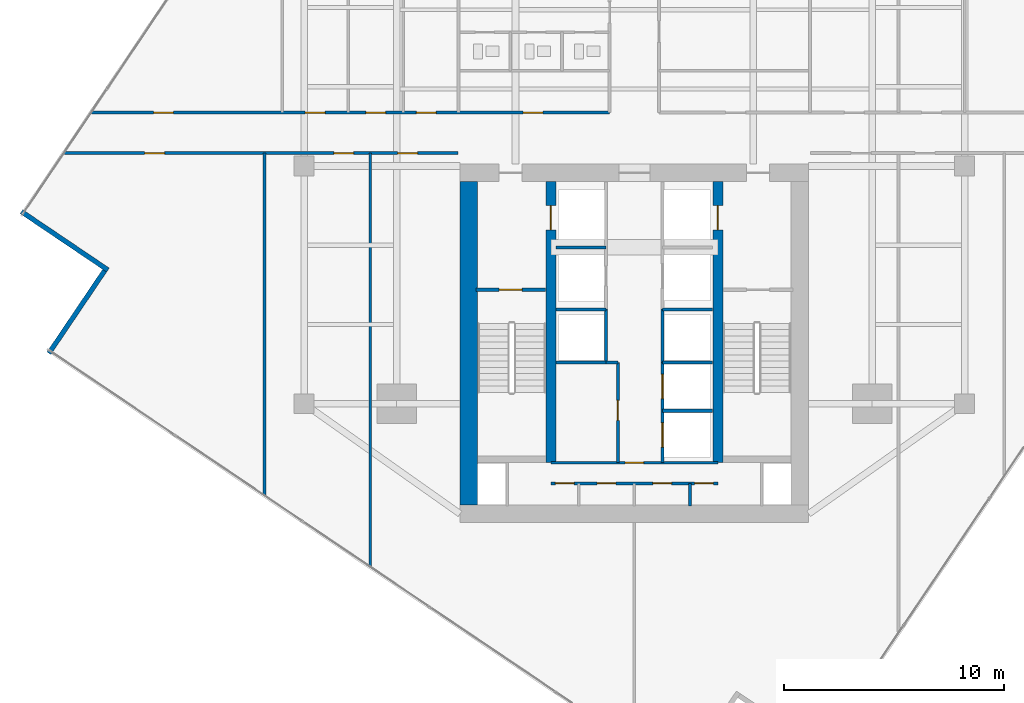
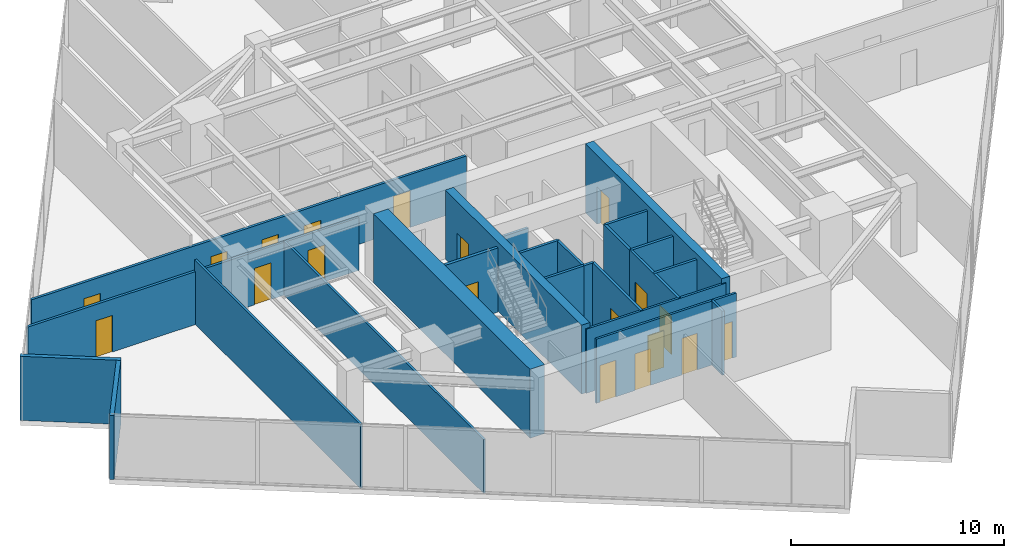
# One storey, part 23 of 27: 24 walls, 19 doors, 19 openings.
"""IFC4 building model written with IfcOpenShell, lengths in metres."""

from ifc_helpers import new_model, si_unit, direction, frame, frame_2d, origin, place, context, subcontext, project, spatial, rectangle, extrude, material, layer, layer_set, type_object, element, fill, save


model = new_model("IFC4")

# Units and contexts
model_context = context("Model", 3, precision=1e-05, world=origin(), true_north=direction((0.0, 1.0)))
body_context = subcontext(model_context, "Body", "Model", "MODEL_VIEW")
ifc_project = project(units=[si_unit("LENGTHUNIT", "METRE"), si_unit("AREAUNIT", "SQUARE_METRE"), si_unit("VOLUMEUNIT", "CUBIC_METRE"), si_unit("PLANEANGLEUNIT", "RADIAN"), si_unit("MASSUNIT", "GRAM", prefix="KILO")], contexts=[model_context])

# Site, building, storey
site_placement = place(None, origin())
site = spatial("IfcSite", under=ifc_project, at=site_placement, CompositionType="ELEMENT")
building_placement = place(site_placement, origin())
building = spatial("IfcBuilding", under=site, at=building_placement, Name="Krantzveldt Concourse Tower", CompositionType="ELEMENT")
storey_placement = place(building_placement, frame((0.0, 0.0, 185.699951171875)))
storey = spatial("IfcBuildingStorey", under=building, at=storey_placement, Name="L45", CompositionType="ELEMENT", Elevation=185.699951171875)

# Walls
ifc_material_1 = material(Name="Anodised aluminium 6063-T6", Category="aluminium")
ifc_layer_1 = layer(ifc_material_1, 0.219970703125, Name="Anodised aluminium 6063-T6", Category="aluminium")
ifc_layer_set_1 = layer_set([ifc_layer_1], Name="Anodised aluminium 6063-T6 (WL-EXT-NOTCH220)")
wall_type_1 = type_object("IfcWallType", Name="WL-EXT-NOTCH220", PredefinedType="ELEMENTEDWALL", material=ifc_layer_set_1)
wall_1_placement = place(storey_placement, frame((8.155029296875, 24.626220703125, 0.0), z_axis=(0.0, 0.0, 1.0), x_axis=(0.829029968461, -0.559204176839, 0.0)))
element("IfcWall", 1, at=wall_1_placement, inside=storey, type_object=wall_type_1, Name="EW-L45-NCH02", PredefinedType="ELEMENTEDWALL", context=body_context, shape_type="SweptSolid", body=[
    extrude(rectangle(XDim=4.744873046875, YDim=0.219970703125, at=frame_2d((2.37255859375, 0.0))), origin(), (0.0, 0.0, 1.0), 3.670166015625),
])
wall_2_placement = place(storey_placement, frame((11.93603515625, 21.943115234375, 0.0), z_axis=(0.0, 0.0, 1.0), x_axis=(-0.559236535969, -0.829008140393, 0.0)))
element("IfcWall", 2, at=wall_2_placement, inside=storey, type_object=wall_type_1, Name="EW-L45-NCH03", PredefinedType="ELEMENTEDWALL", context=body_context, shape_type="SweptSolid", body=[
    extrude(rectangle(XDim=4.52490234375, YDim=0.219970703125, at=frame_2d((2.262451171875, 0.0))), origin(), (0.0, 0.0, 1.0), 3.670166015625),
])

# Wall, opening, door
ifc_material_2 = material(Name="Fire-rated gypsum plasterboard on steel stud", Category="steel")
ifc_layer_2 = layer(ifc_material_2, 0.1201171875, Name="Fire-rated gypsum plasterboard on steel stud", Category="steel")
ifc_layer_set_2 = layer_set([ifc_layer_2], Name="Fire-rated gypsum plasterboard on steel stud (WL-PART-120)")
wall_type_2 = type_object("IfcWallType", Name="WL-PART-120", PredefinedType="PARTITIONING", material=ifc_layer_set_2)
wall_3_placement = place(storey_placement, frame((32.2099609375, 13.219970703125, 0.0), z_axis=(0.0, 0.0, 1.0), x_axis=(1.0, 0.0, 0.0)))
wall_3 = element("IfcWall", 3, at=wall_3_placement, inside=storey, type_object=wall_type_2, Name="WP-L45-CS2H", PredefinedType="PARTITIONING", context=body_context, shape_type="SweptSolid", body=[
    extrude(rectangle(XDim=7.580078125, YDim=0.1201171875, at=frame_2d((3.7900390625, 0.0))), origin(), (0.0, 0.0, 1.0), 3.670166015625),
])
opening_1_placement = place(wall_3_placement, frame((3.364990234375, 0.0, 0.0)))
opening_1 = element("IfcOpeningElement", 4, at=opening_1_placement, cuts=wall_3, Name="Opening D-IN085", PredefinedType="OPENING", context=body_context, shape_type="SweptSolid", body=[
    extrude(rectangle(XDim=0.85009765625, YDim=2.10009765625, at=frame_2d((0.425048828125, 1.050048828125))), frame((0.0, 0.070068359375, 0.0), z_axis=(0.0, -1.0, 0.0), x_axis=(1.0, 0.0, 0.0)), (0.0, 0.0, 1.0), 0.14013671875),
])
ifc_material_3 = material(Name="Hardwood timber", Category="wood")
door_type_1 = type_object("IfcDoorType", Name="DR-INT-850", OperationType="SINGLE_SWING_LEFT", PredefinedType="DOOR", material=ifc_material_3)
door_1_placement = place(opening_1_placement, origin())
door_1 = element("IfcDoor", 5, at=door_1_placement, inside=storey, type_object=door_type_1, Name="DR-L45-LLBS", OperationType="SINGLE_SWING_RIGHT", OverallHeight=2.10009765625, OverallWidth=0.85009765625, PredefinedType="DOOR", context=body_context, shape_type="SweptSolid", body=[
    extrude(rectangle(XDim=0.85009765625, YDim=2.10009765625, at=frame_2d((0.425048828125, 1.050048828125))), frame((0.0, 0.02490234375, 0.0), z_axis=(0.0, -1.0, 0.0), x_axis=(1.0, 0.0, 0.0)), (0.0, 0.0, 1.0), 0.050048828125),
])
fill(opening_1, door_1)

# Wall, openings, doors
wall_4_placement = place(storey_placement, frame((32.2099609375, 12.280029296875, 0.0), z_axis=(0.0, 0.0, 1.0), x_axis=(1.0, 0.0, 0.0)))
wall_4 = element("IfcWall", 6, at=wall_4_placement, inside=storey, type_object=wall_type_2, Name="WP-L45-CSD-HM", PredefinedType="PARTITIONING", context=body_context, shape_type="SweptSolid", body=[
    extrude(rectangle(XDim=7.580078125, YDim=0.1201171875, at=frame_2d((3.7900390625, 0.0))), origin(), (0.0, 0.0, 1.0), 3.670166015625),
])
opening_2_placement = place(wall_4_placement, frame((0.205078125, 0.0, 0.0)))
opening_2 = element("IfcOpeningElement", 7, at=opening_2_placement, cuts=wall_4, Name="Opening D-IN085", PredefinedType="OPENING", context=body_context, shape_type="SweptSolid", body=[
    extrude(rectangle(XDim=0.85009765625, YDim=2.10009765625, at=frame_2d((0.425048828125, 1.050048828125))), frame((0.0, 0.070068359375, 0.0), z_axis=(0.0, -1.0, 0.0), x_axis=(1.0, 0.0, 0.0)), (0.0, 0.0, 1.0), 0.14013671875),
])
opening_3_placement = place(wall_4_placement, frame((2.094970703125, 0.0, 0.0)))
opening_3 = element("IfcOpeningElement", 8, at=opening_3_placement, cuts=wall_4, Name="Opening D-IN085", PredefinedType="OPENING", context=body_context, shape_type="SweptSolid", body=[
    extrude(rectangle(XDim=0.85009765625, YDim=2.10009765625, at=frame_2d((0.425048828125, 1.050048828125))), frame((0.0, 0.070068359375, 0.0), z_axis=(0.0, -1.0, 0.0), x_axis=(1.0, 0.0, 0.0)), (0.0, 0.0, 1.0), 0.14013671875),
])
opening_4_placement = place(wall_4_placement, frame((4.635009765625, 0.0, 0.0)))
opening_4 = element("IfcOpeningElement", 9, at=opening_4_placement, cuts=wall_4, Name="Opening D-IN085", PredefinedType="OPENING", context=body_context, shape_type="SweptSolid", body=[
    extrude(rectangle(XDim=0.85009765625, YDim=2.10009765625, at=frame_2d((0.425048828125, 1.050048828125))), frame((0.0, 0.070068359375, 0.0), z_axis=(0.0, -1.0, 0.0), x_axis=(1.0, 0.0, 0.0)), (0.0, 0.0, 1.0), 0.14013671875),
])
opening_5_placement = place(wall_4_placement, frame((6.52490234375, 0.0, 0.0)))
opening_5 = element("IfcOpeningElement", 10, at=opening_5_placement, cuts=wall_4, Name="Opening D-IN085", PredefinedType="OPENING", context=body_context, shape_type="SweptSolid", body=[
    extrude(rectangle(XDim=0.85009765625, YDim=2.10009765625, at=frame_2d((0.425048828125, 1.050048828125))), frame((0.0, 0.070068359375, 0.0), z_axis=(0.0, -1.0, 0.0), x_axis=(1.0, 0.0, 0.0)), (0.0, 0.0, 1.0), 0.14013671875),
])
door_2_placement = place(opening_2_placement, origin())
door_2 = element("IfcDoor", 11, at=door_2_placement, inside=storey, type_object=door_type_1, Name="DR-L45-CSD1", OperationType="SINGLE_SWING_RIGHT", OverallHeight=2.10009765625, OverallWidth=0.85009765625, PredefinedType="DOOR", context=body_context, shape_type="SweptSolid", body=[
    extrude(rectangle(XDim=0.85009765625, YDim=2.10009765625, at=frame_2d((0.425048828125, 1.050048828125))), frame((0.0, 0.02490234375, 0.0), z_axis=(0.0, -1.0, 0.0), x_axis=(1.0, 0.0, 0.0)), (0.0, 0.0, 1.0), 0.050048828125),
])
fill(opening_2, door_2)
door_3_placement = place(opening_3_placement, origin())
door_3 = element("IfcDoor", 12, at=door_3_placement, inside=storey, type_object=door_type_1, Name="DR-L45-CSD2", OperationType="SINGLE_SWING_RIGHT", OverallHeight=2.10009765625, OverallWidth=0.85009765625, PredefinedType="DOOR", context=body_context, shape_type="SweptSolid", body=[
    extrude(rectangle(XDim=0.85009765625, YDim=2.10009765625, at=frame_2d((0.425048828125, 1.050048828125))), frame((0.0, 0.02490234375, 0.0), z_axis=(0.0, -1.0, 0.0), x_axis=(1.0, 0.0, 0.0)), (0.0, 0.0, 1.0), 0.050048828125),
])
fill(opening_3, door_3)
door_4_placement = place(opening_4_placement, origin())
door_4 = element("IfcDoor", 13, at=door_4_placement, inside=storey, type_object=door_type_1, Name="DR-L45-CSD3", OperationType="SINGLE_SWING_RIGHT", OverallHeight=2.10009765625, OverallWidth=0.85009765625, PredefinedType="DOOR", context=body_context, shape_type="SweptSolid", body=[
    extrude(rectangle(XDim=0.85009765625, YDim=2.10009765625, at=frame_2d((0.425048828125, 1.050048828125))), frame((0.0, 0.02490234375, 0.0), z_axis=(0.0, -1.0, 0.0), x_axis=(1.0, 0.0, 0.0)), (0.0, 0.0, 1.0), 0.050048828125),
])
fill(opening_4, door_4)
door_5_placement = place(opening_5_placement, origin())
door_5 = element("IfcDoor", 14, at=door_5_placement, inside=storey, type_object=door_type_1, Name="DR-L45-CSD4", OperationType="SINGLE_SWING_RIGHT", OverallHeight=2.10009765625, OverallWidth=0.85009765625, PredefinedType="DOOR", context=body_context, shape_type="SweptSolid", body=[
    extrude(rectangle(XDim=0.85009765625, YDim=2.10009765625, at=frame_2d((0.425048828125, 1.050048828125))), frame((0.0, 0.02490234375, 0.0), z_axis=(0.0, -1.0, 0.0), x_axis=(1.0, 0.0, 0.0)), (0.0, 0.0, 1.0), 0.050048828125),
])
fill(opening_5, door_5)

# Walls
wall_5_placement = place(storey_placement, frame((38.530029296875, 11.25, 0.0), z_axis=(0.0, 0.0, 1.0), x_axis=(0.0, 1.0, 0.0)))
element("IfcWall", 15, at=wall_5_placement, inside=storey, type_object=wall_type_2, Name="WP-L45-CSD-V3", PredefinedType="PARTITIONING", context=body_context, shape_type="SweptSolid", body=[
    extrude(rectangle(XDim=1.030029296875, YDim=0.1201171875, at=frame_2d((0.51513671875, 0.0))), origin(), (0.0, 0.0, 1.0), 3.670166015625),
])
wall_6_placement = place(storey_placement, frame((19.199951171875, 11.72412109375, 0.0), z_axis=(0.0, 0.0, 1.0), x_axis=(0.0, 1.0, 0.0)))
element("IfcWall", 16, at=wall_6_placement, inside=storey, type_object=wall_type_2, Name="WP-L45-SWX1", PredefinedType="PARTITIONING", context=body_context, shape_type="SweptSolid", body=[
    extrude(rectangle(XDim=15.555908203125, YDim=0.1201171875, at=frame_2d((7.77783203125, 0.0))), origin(), (0.0, 0.0, 1.0), 3.670166015625),
])
wall_7_placement = place(storey_placement, frame((24.0, 8.486572265625, 0.0), z_axis=(0.0, 0.0, 1.0), x_axis=(0.0, 1.0, 0.0)))
element("IfcWall", 17, at=wall_7_placement, inside=storey, type_object=wall_type_2, Name="WP-L45-SWX2", PredefinedType="PARTITIONING", context=body_context, shape_type="SweptSolid", body=[
    extrude(rectangle(XDim=18.79345703125, YDim=0.1201171875, at=frame_2d((9.396728515625, 0.0))), origin(), (0.0, 0.0, 1.0), 3.080078125),
])

# Wall, openings, doors
ifc_layer_3 = layer(ifc_material_2, 0.139892578125, Name="Fire-rated gypsum plasterboard on steel stud", Category="steel")
ifc_layer_set_3 = layer_set([ifc_layer_3], Name="Fire-rated gypsum plasterboard on steel stud (WL-PART-140)")
wall_type_3 = type_object("IfcWallType", Name="WL-PART-140", PredefinedType="PARTITIONING", material=ifc_layer_set_3)
wall_8_placement = place(storey_placement, frame((11.32470703125, 29.1201171875, 0.0), z_axis=(0.0, 0.0, 1.0), x_axis=(1.0, 0.0, 0.0)))
wall_8 = element("IfcWall", 18, at=wall_8_placement, inside=storey, type_object=wall_type_3, Name="WP-L45-EWNL", PredefinedType="PARTITIONING", context=body_context, shape_type="SweptSolid", body=[
    extrude(rectangle(XDim=23.55517578125, YDim=0.139892578125, at=frame_2d((11.777587890625, 0.0))), origin(), (0.0, 0.0, 1.0), 3.030029296875),
])
opening_6_placement = place(wall_8_placement, frame((19.625244140625, 0.0, 0.0)))
opening_6 = element("IfcOpeningElement", 19, at=opening_6_placement, cuts=wall_8, Name="Opening D-IN090", PredefinedType="OPENING", context=body_context, shape_type="SweptSolid", body=[
    extrude(rectangle(XDim=0.89990234375, YDim=2.10009765625, at=frame_2d((0.449951171875, 1.050048828125))), frame((0.0, 0.080078125, 0.0), z_axis=(0.0, -1.0, 0.0), x_axis=(1.0, 0.0, 0.0)), (0.0, 0.0, 1.0), 0.159912109375),
])
opening_7_placement = place(wall_8_placement, frame((2.835205078125, 0.0, 0.0)))
opening_7 = element("IfcOpeningElement", 20, at=opening_7_placement, cuts=wall_8, Name="Opening D-IN090", PredefinedType="OPENING", context=body_context, shape_type="SweptSolid", body=[
    extrude(rectangle(XDim=0.89990234375, YDim=2.10009765625, at=frame_2d((0.449951171875, 1.050048828125))), frame((0.0, 0.080078125, 0.0), z_axis=(0.0, -1.0, 0.0), x_axis=(1.0, 0.0, 0.0)), (0.0, 0.0, 1.0), 0.159912109375),
])
opening_8_placement = place(wall_8_placement, frame((9.725341796875, 0.0, 0.0)))
opening_8 = element("IfcOpeningElement", 21, at=opening_8_placement, cuts=wall_8, Name="Opening D-IN090", PredefinedType="OPENING", context=body_context, shape_type="SweptSolid", body=[
    extrude(rectangle(XDim=0.89990234375, YDim=2.10009765625, at=frame_2d((0.449951171875, 1.050048828125))), frame((0.0, 0.080078125, 0.0), z_axis=(0.0, -1.0, 0.0), x_axis=(1.0, 0.0, 0.0)), (0.0, 0.0, 1.0), 0.159912109375),
])
opening_9_placement = place(wall_8_placement, frame((12.475341796875, 0.0, 0.0)))
opening_9 = element("IfcOpeningElement", 22, at=opening_9_placement, cuts=wall_8, Name="Opening D-IN090", PredefinedType="OPENING", context=body_context, shape_type="SweptSolid", body=[
    extrude(rectangle(XDim=0.89990234375, YDim=2.10009765625, at=frame_2d((0.449951171875, 1.050048828125))), frame((0.0, 0.080078125, 0.0), z_axis=(0.0, -1.0, 0.0), x_axis=(1.0, 0.0, 0.0)), (0.0, 0.0, 1.0), 0.159912109375),
])
opening_10_placement = place(wall_8_placement, frame((14.775390625, 0.0, 0.0)))
opening_10 = element("IfcOpeningElement", 23, at=opening_10_placement, cuts=wall_8, Name="Opening D-IN090", PredefinedType="OPENING", context=body_context, shape_type="SweptSolid", body=[
    extrude(rectangle(XDim=0.89990234375, YDim=2.10009765625, at=frame_2d((0.449951171875, 1.050048828125))), frame((0.0, 0.080078125, 0.0), z_axis=(0.0, -1.0, 0.0), x_axis=(1.0, 0.0, 0.0)), (0.0, 0.0, 1.0), 0.159912109375),
])
door_type_2 = type_object("IfcDoorType", Name="DR-INT-900", OperationType="SINGLE_SWING_LEFT", PredefinedType="DOOR", material=ifc_material_3)
door_6_placement = place(opening_6_placement, origin())
door_6 = element("IfcDoor", 24, at=door_6_placement, inside=storey, type_object=door_type_2, Name="DR-L45-ALCL", OperationType="SINGLE_SWING_LEFT", OverallHeight=2.10009765625, OverallWidth=0.89990234375, PredefinedType="DOOR", context=body_context, shape_type="SweptSolid", body=[
    extrude(rectangle(XDim=0.89990234375, YDim=2.10009765625, at=frame_2d((0.449951171875, 1.050048828125))), frame((0.0, 0.02490234375, 0.0), z_axis=(0.0, -1.0, 0.0), x_axis=(1.0, 0.0, 0.0)), (0.0, 0.0, 1.0), 0.050048828125),
])
fill(opening_6, door_6)
door_7_placement = place(opening_7_placement, origin())
door_7 = element("IfcDoor", 25, at=door_7_placement, inside=storey, type_object=door_type_2, Name="DR-L45-NWX1", OperationType="SINGLE_SWING_LEFT", OverallHeight=2.10009765625, OverallWidth=0.89990234375, PredefinedType="DOOR", context=body_context, shape_type="SweptSolid", body=[
    extrude(rectangle(XDim=0.89990234375, YDim=2.10009765625, at=frame_2d((0.449951171875, 1.050048828125))), frame((0.0, 0.02490234375, 0.0), z_axis=(0.0, -1.0, 0.0), x_axis=(1.0, 0.0, 0.0)), (0.0, 0.0, 1.0), 0.050048828125),
])
fill(opening_7, door_7)
door_8_placement = place(opening_8_placement, origin())
door_8 = element("IfcDoor", 26, at=door_8_placement, inside=storey, type_object=door_type_2, Name="DR-L45-NWX2", OperationType="SINGLE_SWING_LEFT", OverallHeight=2.10009765625, OverallWidth=0.89990234375, PredefinedType="DOOR", context=body_context, shape_type="SweptSolid", body=[
    extrude(rectangle(XDim=0.89990234375, YDim=2.10009765625, at=frame_2d((0.449951171875, 1.050048828125))), frame((0.0, 0.02490234375, 0.0), z_axis=(0.0, -1.0, 0.0), x_axis=(1.0, 0.0, 0.0)), (0.0, 0.0, 1.0), 0.050048828125),
])
fill(opening_8, door_8)
door_9_placement = place(opening_9_placement, origin())
door_9 = element("IfcDoor", 27, at=door_9_placement, inside=storey, type_object=door_type_2, Name="DR-L45-NWX3", OperationType="SINGLE_SWING_LEFT", OverallHeight=2.10009765625, OverallWidth=0.89990234375, PredefinedType="DOOR", context=body_context, shape_type="SweptSolid", body=[
    extrude(rectangle(XDim=0.89990234375, YDim=2.10009765625, at=frame_2d((0.449951171875, 1.050048828125))), frame((0.0, 0.02490234375, 0.0), z_axis=(0.0, -1.0, 0.0), x_axis=(1.0, 0.0, 0.0)), (0.0, 0.0, 1.0), 0.050048828125),
])
fill(opening_9, door_9)
door_10_placement = place(opening_10_placement, origin())
door_10 = element("IfcDoor", 28, at=door_10_placement, inside=storey, type_object=door_type_2, Name="DR-L45-NWX4", OperationType="SINGLE_SWING_LEFT", OverallHeight=2.10009765625, OverallWidth=0.89990234375, PredefinedType="DOOR", context=body_context, shape_type="SweptSolid", body=[
    extrude(rectangle(XDim=0.89990234375, YDim=2.10009765625, at=frame_2d((0.449951171875, 1.050048828125))), frame((0.0, 0.02490234375, 0.0), z_axis=(0.0, -1.0, 0.0), x_axis=(1.0, 0.0, 0.0)), (0.0, 0.0, 1.0), 0.050048828125),
])
fill(opening_10, door_10)

wall_9_placement = place(storey_placement, frame((10.08349609375, 27.280029296875, 0.0), z_axis=(0.0, 0.0, 1.0), x_axis=(1.0, 0.0, 0.0)))
wall_9 = element("IfcWall", 29, at=wall_9_placement, inside=storey, type_object=wall_type_3, Name="WP-L45-EWSL", PredefinedType="PARTITIONING", context=body_context, shape_type="SweptSolid", body=[
    extrude(rectangle(XDim=17.91650390625, YDim=0.139892578125, at=frame_2d((8.958251953125, 0.0))), origin(), (0.0, 0.0, 1.0), 3.030029296875),
])
opening_11_placement = place(wall_9_placement, frame((3.676513671875, 0.0, 0.0)))
opening_11 = element("IfcOpeningElement", 30, at=opening_11_placement, cuts=wall_9, Name="Opening D-IN090", PredefinedType="OPENING", context=body_context, shape_type="SweptSolid", body=[
    extrude(rectangle(XDim=0.89990234375, YDim=2.10009765625, at=frame_2d((0.449951171875, 1.050048828125))), frame((0.0, 0.080078125, 0.0), z_axis=(0.0, -1.0, 0.0), x_axis=(1.0, 0.0, 0.0)), (0.0, 0.0, 1.0), 0.159912109375),
])
opening_12_placement = place(wall_9_placement, frame((12.266357421875, 0.0, 0.0)))
opening_12 = element("IfcOpeningElement", 31, at=opening_12_placement, cuts=wall_9, Name="Opening D-IN090", PredefinedType="OPENING", context=body_context, shape_type="SweptSolid", body=[
    extrude(rectangle(XDim=0.89990234375, YDim=2.10009765625, at=frame_2d((0.449951171875, 1.050048828125))), frame((0.0, 0.080078125, 0.0), z_axis=(0.0, -1.0, 0.0), x_axis=(1.0, 0.0, 0.0)), (0.0, 0.0, 1.0), 0.159912109375),
])
opening_13_placement = place(wall_9_placement, frame((15.16650390625, 0.0, 0.0)))
opening_13 = element("IfcOpeningElement", 32, at=opening_13_placement, cuts=wall_9, Name="Opening D-IN090", PredefinedType="OPENING", context=body_context, shape_type="SweptSolid", body=[
    extrude(rectangle(XDim=0.89990234375, YDim=2.10009765625, at=frame_2d((0.449951171875, 1.050048828125))), frame((0.0, 0.080078125, 0.0), z_axis=(0.0, -1.0, 0.0), x_axis=(1.0, 0.0, 0.0)), (0.0, 0.0, 1.0), 0.159912109375),
])
door_11_placement = place(opening_11_placement, origin())
door_11 = element("IfcDoor", 33, at=door_11_placement, inside=storey, type_object=door_type_2, Name="DR-L45-SWX1", OperationType="SINGLE_SWING_LEFT", OverallHeight=2.10009765625, OverallWidth=0.89990234375, PredefinedType="DOOR", context=body_context, shape_type="SweptSolid", body=[
    extrude(rectangle(XDim=0.89990234375, YDim=2.10009765625, at=frame_2d((0.449951171875, 1.050048828125))), frame((0.0, 0.02490234375, 0.0), z_axis=(0.0, -1.0, 0.0), x_axis=(1.0, 0.0, 0.0)), (0.0, 0.0, 1.0), 0.050048828125),
])
fill(opening_11, door_11)
door_12_placement = place(opening_12_placement, origin())
door_12 = element("IfcDoor", 34, at=door_12_placement, inside=storey, type_object=door_type_2, Name="DR-L45-SWX2", OperationType="SINGLE_SWING_LEFT", OverallHeight=2.10009765625, OverallWidth=0.89990234375, PredefinedType="DOOR", context=body_context, shape_type="SweptSolid", body=[
    extrude(rectangle(XDim=0.89990234375, YDim=2.10009765625, at=frame_2d((0.449951171875, 1.050048828125))), frame((0.0, 0.02490234375, 0.0), z_axis=(0.0, -1.0, 0.0), x_axis=(1.0, 0.0, 0.0)), (0.0, 0.0, 1.0), 0.050048828125),
])
fill(opening_12, door_12)
door_13_placement = place(opening_13_placement, origin())
door_13 = element("IfcDoor", 35, at=door_13_placement, inside=storey, type_object=door_type_2, Name="DR-L45-SWX3", OperationType="SINGLE_SWING_LEFT", OverallHeight=2.10009765625, OverallWidth=0.89990234375, PredefinedType="DOOR", context=body_context, shape_type="SweptSolid", body=[
    extrude(rectangle(XDim=0.89990234375, YDim=2.10009765625, at=frame_2d((0.449951171875, 1.050048828125))), frame((0.0, 0.02490234375, 0.0), z_axis=(0.0, -1.0, 0.0), x_axis=(1.0, 0.0, 0.0)), (0.0, 0.0, 1.0), 0.050048828125),
])
fill(opening_13, door_13)

# Walls
ifc_layer_4 = layer(ifc_material_2, 0.139892578125, Name="Fire-rated gypsum plasterboard on steel stud", Category="steel")
ifc_layer_set_4 = layer_set([ifc_layer_4], Name="Fire-rated gypsum plasterboard on steel stud (WL-PART-FR140)")
wall_type_4 = type_object("IfcWallType", Name="WL-PART-FR140", PredefinedType="PARTITIONING", material=ifc_layer_set_4)
wall_10_placement = place(storey_placement, frame((32.449951171875, 23.0, 0.0), z_axis=(0.0, 0.0, 1.0), x_axis=(1.0, 0.0, 0.0)))
element("IfcWall", 36, at=wall_10_placement, inside=storey, type_object=wall_type_4, Name="WP-L45-RISH", PredefinedType="PARTITIONING", context=body_context, shape_type="SweptSolid", body=[
    extrude(rectangle(XDim=2.27001953125, YDim=0.139892578125, at=frame_2d((1.135009765625, 0.0))), origin(), (0.0, 0.0, 1.0), 2.670166015625),
])
for number, where, z_axis, x_axis, name in (
    (37, (34.719970703125, 17.780029296875, 0.0), (0.0, 0.0, 1.0), (0.0, 1.0, 0.0), "WP-L45-SHNW2"),
    (38, (37.280029296875, 17.780029296875, 0.0), (0.0, 0.0, 1.0), (0.0, 1.0, 0.0), "WP-L45-SHNE2"),
):
    element("IfcWall", number, at=place(storey_placement, frame(where, z_axis=z_axis, x_axis=x_axis)), inside=storey, type_object=wall_type_4, Name=name, PredefinedType="PARTITIONING", context=body_context, shape_type="SweptSolid", body=[
        extrude(rectangle(XDim=2.419921875, YDim=0.139892578125, at=frame_2d((1.2099609375, 0.0))), origin(), (0.0, 0.0, 1.0), 3.670166015625),
    ])
for number, where, z_axis, x_axis, name in (
    (39, (32.449951171875, 17.780029296875, 0.0), (0.0, 0.0, 1.0), (1.0, 0.0, 0.0), "WP-L45-DIVW2"),
    (40, (32.449951171875, 20.179931640625, 0.0), (0.0, 0.0, 1.0), (1.0, 0.0, 0.0), "WP-L45-DIVW3"),
    (41, (37.280029296875, 17.780029296875, 0.0), (0.0, 0.0, 1.0), (1.0, 0.0, 0.0), "WP-L45-DIVE2"),
    (42, (37.280029296875, 20.179931640625, 0.0), (0.0, 0.0, 1.0), (1.0, 0.0, 0.0), "WP-L45-DIVE3"),
):
    element("IfcWall", number, at=place(storey_placement, frame(where, z_axis=z_axis, x_axis=x_axis)), inside=storey, type_object=wall_type_4, Name=name, PredefinedType="PARTITIONING", context=body_context, shape_type="SweptSolid", body=[
        extrude(rectangle(XDim=2.27001953125, YDim=0.139892578125, at=frame_2d((1.135009765625, 0.0))), origin(), (0.0, 0.0, 1.0), 3.670166015625),
    ])

# Wall, opening, door
wall_11_placement = place(storey_placement, frame((35.25, 13.219970703125, 0.0), z_axis=(0.0, 0.0, 1.0), x_axis=(0.0, 1.0, 0.0)))
wall_11 = element("IfcWall", 43, at=wall_11_placement, inside=storey, type_object=wall_type_4, Name="WP-L45-RECW", PredefinedType="PARTITIONING", context=body_context, shape_type="SweptSolid", body=[
    extrude(rectangle(XDim=4.56005859375, YDim=0.139892578125, at=frame_2d((2.280029296875, 0.0))), origin(), (0.0, 0.0, 1.0), 3.670166015625),
])
opening_14_placement = place(wall_11_placement, frame((1.929931640625, 0.0, 0.0)))
opening_14 = element("IfcOpeningElement", 44, at=opening_14_placement, cuts=wall_11, Name="Opening D-FD090", PredefinedType="OPENING", context=body_context, shape_type="SweptSolid", body=[
    extrude(rectangle(XDim=0.89990234375, YDim=2.10009765625, at=frame_2d((0.449951171875, 1.050048828125))), frame((0.0, 0.080078125, 0.0), z_axis=(0.0, -1.0, 0.0), x_axis=(1.0, 0.0, 0.0)), (0.0, 0.0, 1.0), 0.159912109375),
])
door_type_3 = type_object("IfcDoorType", Name="DR-FD60-900", OperationType="SINGLE_SWING_LEFT", PredefinedType="DOOR", material=ifc_material_3)
door_14_placement = place(opening_14_placement, origin())
door_14 = element("IfcDoor", 45, at=door_14_placement, inside=storey, type_object=door_type_3, Name="DR-L45-RECW", OperationType="SINGLE_SWING_LEFT", OverallHeight=2.10009765625, OverallWidth=0.89990234375, PredefinedType="DOOR", context=body_context, shape_type="SweptSolid", body=[
    extrude(rectangle(XDim=0.89990234375, YDim=2.10009765625, at=frame_2d((0.449951171875, 1.050048828125))), frame((0.0, 0.02490234375, 0.0), z_axis=(0.0, -1.0, 0.0), x_axis=(1.0, 0.0, 0.0)), (0.0, 0.0, 1.0), 0.050048828125),
])
fill(opening_14, door_14)

# Wall
wall_12_placement = place(storey_placement, frame((34.719970703125, 17.780029296875, 0.0), z_axis=(0.0, 0.0, 1.0), x_axis=(1.0, 0.0, 0.0)))
element("IfcWall", 46, at=wall_12_placement, inside=storey, type_object=wall_type_4, Name="WP-L45-RECWN", PredefinedType="PARTITIONING", context=body_context, shape_type="SweptSolid", body=[
    extrude(rectangle(XDim=0.530029296875, YDim=0.139892578125, at=frame_2d((0.26513671875, 0.0))), origin(), (0.0, 0.0, 1.0), 3.670166015625),
])

# Wall, openings, doors
wall_13_placement = place(storey_placement, frame((37.280029296875, 13.219970703125, 0.0), z_axis=(0.0, 0.0, 1.0), x_axis=(0.0, 1.0, 0.0)))
wall_13 = element("IfcWall", 47, at=wall_13_placement, inside=storey, type_object=wall_type_4, Name="WP-L45-SHSE", PredefinedType="PARTITIONING", context=body_context, shape_type="SweptSolid", body=[
    extrude(rectangle(XDim=4.56005859375, YDim=0.139892578125, at=frame_2d((2.280029296875, 0.0))), origin(), (0.0, 0.0, 1.0), 3.670166015625),
])
opening_15_placement = place(wall_13_placement, frame((0.7099609375, 0.0, 0.0)))
opening_15 = element("IfcOpeningElement", 48, at=opening_15_placement, cuts=wall_13, Name="Opening LD", PredefinedType="OPENING", context=body_context, shape_type="SweptSolid", body=[
    extrude(rectangle(XDim=1.10009765625, YDim=2.14990234375, at=frame_2d((0.550048828125, 1.074951171875))), frame((0.0, 0.080078125, 0.0), z_axis=(0.0, -1.0, 0.0), x_axis=(1.0, 0.0, 0.0)), (0.0, 0.0, 1.0), 0.159912109375),
])
opening_16_placement = place(wall_13_placement, frame((2.909912109375, 0.0, 0.0)))
opening_16 = element("IfcOpeningElement", 49, at=opening_16_placement, cuts=wall_13, Name="Opening LD", PredefinedType="OPENING", context=body_context, shape_type="SweptSolid", body=[
    extrude(rectangle(XDim=1.10009765625, YDim=2.14990234375, at=frame_2d((0.550048828125, 1.074951171875))), frame((0.0, 0.080078125, 0.0), z_axis=(0.0, -1.0, 0.0), x_axis=(1.0, 0.0, 0.0)), (0.0, 0.0, 1.0), 0.159912109375),
])
ifc_material_4 = material(Name="Stainless steel 316L", Category="steel")
door_type_4 = type_object("IfcDoorType", Name="DR-SLIDE-LD1100", OperationType="DOUBLE_DOOR_SLIDING", PredefinedType="DOOR", material=ifc_material_4)
door_15_placement = place(opening_15_placement, origin())
door_15 = element("IfcDoor", 50, at=door_15_placement, inside=storey, type_object=door_type_4, Name="LD-L45-PM1", OperationType="DOUBLE_DOOR_SLIDING", OverallHeight=2.14990234375, OverallWidth=1.10009765625, PredefinedType="DOOR", context=body_context, shape_type="SweptSolid", body=[
    extrude(rectangle(XDim=1.10009765625, YDim=2.14990234375, at=frame_2d((0.550048828125, 1.074951171875))), frame((0.0, 0.02490234375, 0.0), z_axis=(0.0, -1.0, 0.0), x_axis=(1.0, 0.0, 0.0)), (0.0, 0.0, 1.0), 0.050048828125),
])
fill(opening_15, door_15)
door_16_placement = place(opening_16_placement, origin())
door_16 = element("IfcDoor", 51, at=door_16_placement, inside=storey, type_object=door_type_4, Name="LD-L45-PM2", OperationType="DOUBLE_DOOR_SLIDING", OverallHeight=2.14990234375, OverallWidth=1.10009765625, PredefinedType="DOOR", context=body_context, shape_type="SweptSolid", body=[
    extrude(rectangle(XDim=1.10009765625, YDim=2.14990234375, at=frame_2d((0.550048828125, 1.074951171875))), frame((0.0, 0.02490234375, 0.0), z_axis=(0.0, -1.0, 0.0), x_axis=(1.0, 0.0, 0.0)), (0.0, 0.0, 1.0), 0.050048828125),
])
fill(opening_16, door_16)

# Wall
wall_14_placement = place(storey_placement, frame((37.280029296875, 15.580078125, 0.0), z_axis=(0.0, 0.0, 1.0), x_axis=(1.0, 0.0, 0.0)))
element("IfcWall", 52, at=wall_14_placement, inside=storey, type_object=wall_type_4, Name="WP-L45-DIVE1", PredefinedType="PARTITIONING", context=body_context, shape_type="SweptSolid", body=[
    extrude(rectangle(XDim=2.27001953125, YDim=0.139892578125, at=frame_2d((1.135009765625, 0.0))), origin(), (0.0, 0.0, 1.0), 3.670166015625),
])

# Wall, opening, door
ifc_layer_5 = layer(ifc_material_2, 0.159912109375, Name="Fire-rated gypsum plasterboard on steel stud", Category="steel")
ifc_layer_set_5 = layer_set([ifc_layer_5], Name="Fire-rated gypsum plasterboard on steel stud (WL-PART-FR160)")
wall_type_5 = type_object("IfcWallType", Name="WL-PART-FR160", PredefinedType="PARTITIONING", material=ifc_layer_set_5)
wall_15_placement = place(storey_placement, frame((28.800048828125, 21.080078125, 0.0), z_axis=(0.0, 0.0, 1.0), x_axis=(1.0, 0.0, 0.0)))
wall_15 = element("IfcWall", 53, at=wall_15_placement, inside=storey, type_object=wall_type_5, Name="WP-L45-ST1", PredefinedType="PARTITIONING", context=body_context, shape_type="SweptSolid", body=[
    extrude(rectangle(XDim=3.159912109375, YDim=0.159912109375, at=frame_2d((1.580078125, 0.0))), origin(), (0.0, 0.0, 1.0), 3.670166015625),
])
opening_17_placement = place(wall_15_placement, frame((1.054931640625, 0.0, 0.0)))
opening_17 = element("IfcOpeningElement", 54, at=opening_17_placement, cuts=wall_15, Name="Opening D-FD105", PredefinedType="OPENING", context=body_context, shape_type="SweptSolid", body=[
    extrude(rectangle(XDim=1.050048828125, YDim=2.10009765625, at=frame_2d((0.52490234375, 1.050048828125))), frame((0.0, 0.08984375, 0.0), z_axis=(0.0, -1.0, 0.0), x_axis=(1.0, 0.0, 0.0)), (0.0, 0.0, 1.0), 0.179931640625),
])
ifc_material_5 = material(Name="Galvanised steel", Category="steel")
door_type_5 = type_object("IfcDoorType", Name="DR-FD120-1050", OperationType="SINGLE_SWING_LEFT", PredefinedType="DOOR", material=ifc_material_5)
door_17_placement = place(opening_17_placement, origin())
door_17 = element("IfcDoor", 55, at=door_17_placement, inside=storey, type_object=door_type_5, Name="DR-L45-ST1", OperationType="SINGLE_SWING_RIGHT", OverallHeight=2.10009765625, OverallWidth=1.050048828125, PredefinedType="DOOR", context=body_context, shape_type="SweptSolid", body=[
    extrude(rectangle(XDim=1.050048828125, YDim=2.10009765625, at=frame_2d((0.52490234375, 1.050048828125))), frame((0.0, 0.02490234375, 0.0), z_axis=(0.0, -1.0, 0.0), x_axis=(1.0, 0.0, 0.0)), (0.0, 0.0, 1.0), 0.050048828125),
])
fill(opening_17, door_17)

ifc_material_6 = material(Name="Concrete C50/60", Category="concrete")
ifc_layer_6 = layer(ifc_material_6, 0.449951171875, Name="Concrete C50/60", Category="concrete")
ifc_layer_set_6 = layer_set([ifc_layer_6], Name="Concrete C50/60 (WL-SHEAR-450)")
wall_type_6 = type_object("IfcWallType", Name="WL-SHEAR-450", PredefinedType="SHEAR", material=ifc_layer_set_6)
wall_16_placement = place(storey_placement, frame((32.205078125, 13.219970703125, 0.0), z_axis=(0.0, 0.0, 1.0), x_axis=(0.0, 1.0, 0.0)))
wall_16 = element("IfcWall", 56, at=wall_16_placement, inside=storey, type_object=wall_type_6, Name="CW-L45-IW", PredefinedType="SHEAR", context=body_context, shape_type="SweptSolid", body=[
    extrude(rectangle(XDim=12.780029296875, YDim=0.449951171875, at=frame_2d((6.39013671875, 0.0))), origin(), (0.0, 0.0, 1.0), 3.949951171875),
])
opening_18_placement = place(wall_16_placement, frame((10.580078125, 0.0, 0.0)))
opening_18 = element("IfcOpeningElement", 57, at=opening_18_placement, cuts=wall_16, Name="Opening LD", PredefinedType="OPENING", context=body_context, shape_type="SweptSolid", body=[
    extrude(rectangle(XDim=1.10009765625, YDim=2.14990234375, at=frame_2d((0.550048828125, 1.074951171875))), frame((0.0, 0.23486328125, 0.0), z_axis=(0.0, -1.0, 0.0), x_axis=(1.0, 0.0, 0.0)), (0.0, 0.0, 1.0), 0.469970703125),
])
door_18_placement = place(opening_18_placement, origin())
door_18 = element("IfcDoor", 58, at=door_18_placement, inside=storey, type_object=door_type_4, Name="LD-L45-FL1", OperationType="DOUBLE_DOOR_SLIDING", OverallHeight=2.14990234375, OverallWidth=1.10009765625, PredefinedType="DOOR", context=body_context, shape_type="SweptSolid", body=[
    extrude(rectangle(XDim=1.10009765625, YDim=2.14990234375, at=frame_2d((0.550048828125, 1.074951171875))), frame((0.0, 0.02490234375, 0.0), z_axis=(0.0, -1.0, 0.0), x_axis=(1.0, 0.0, 0.0)), (0.0, 0.0, 1.0), 0.050048828125),
])
fill(opening_18, door_18)

wall_17_placement = place(storey_placement, frame((39.794921875, 13.219970703125, 0.0), z_axis=(0.0, 0.0, 1.0), x_axis=(0.0, 1.0, 0.0)))
wall_17 = element("IfcWall", 59, at=wall_17_placement, inside=storey, type_object=wall_type_6, Name="CW-L45-IE", PredefinedType="SHEAR", context=body_context, shape_type="SweptSolid", body=[
    extrude(rectangle(XDim=12.780029296875, YDim=0.449951171875, at=frame_2d((6.39013671875, 0.0))), origin(), (0.0, 0.0, 1.0), 3.949951171875),
])
opening_19_placement = place(wall_17_placement, frame((10.580078125, 0.0, 0.0)))
opening_19 = element("IfcOpeningElement", 60, at=opening_19_placement, cuts=wall_17, Name="Opening LD", PredefinedType="OPENING", context=body_context, shape_type="SweptSolid", body=[
    extrude(rectangle(XDim=1.10009765625, YDim=2.14990234375, at=frame_2d((0.550048828125, 1.074951171875))), frame((0.0, 0.23486328125, 0.0), z_axis=(0.0, -1.0, 0.0), x_axis=(1.0, 0.0, 0.0)), (0.0, 0.0, 1.0), 0.469970703125),
])
door_19_placement = place(opening_19_placement, origin())
door_19 = element("IfcDoor", 61, at=door_19_placement, inside=storey, type_object=door_type_4, Name="LD-L45-FL2", OperationType="DOUBLE_DOOR_SLIDING", OverallHeight=2.14990234375, OverallWidth=1.10009765625, PredefinedType="DOOR", context=body_context, shape_type="SweptSolid", body=[
    extrude(rectangle(XDim=1.10009765625, YDim=2.14990234375, at=frame_2d((0.550048828125, 1.074951171875))), frame((0.0, 0.02490234375, 0.0), z_axis=(0.0, -1.0, 0.0), x_axis=(1.0, 0.0, 0.0)), (0.0, 0.0, 1.0), 0.050048828125),
])
fill(opening_19, door_19)

# Wall
ifc_material_7 = material(Name="Concrete C60/75", Category="concrete")
ifc_layer_7 = layer(ifc_material_7, 0.800048828125, Name="Concrete C60/75", Category="concrete")
ifc_layer_set_7 = layer_set([ifc_layer_7], Name="Concrete C60/75 (WL-SHEAR-800)")
wall_type_7 = type_object("IfcWallType", Name="WL-SHEAR-800", PredefinedType="SHEAR", material=ifc_layer_set_7)
wall_18_placement = place(storey_placement, frame((28.47998046875, 11.300048828125, 0.0), z_axis=(0.0, 0.0, 1.0), x_axis=(0.0, 1.0, 0.0)))
element("IfcWall", 62, at=wall_18_placement, inside=storey, type_object=wall_type_7, Name="CW-L45-W", PredefinedType="SHEAR", context=body_context, shape_type="SweptSolid", body=[
    extrude(rectangle(XDim=14.699951171875, YDim=0.800048828125, at=frame_2d((7.35009765625, 0.0))), origin(), (0.0, 0.0, 1.0), 3.949951171875),
])

save(model, "model.ifc")
